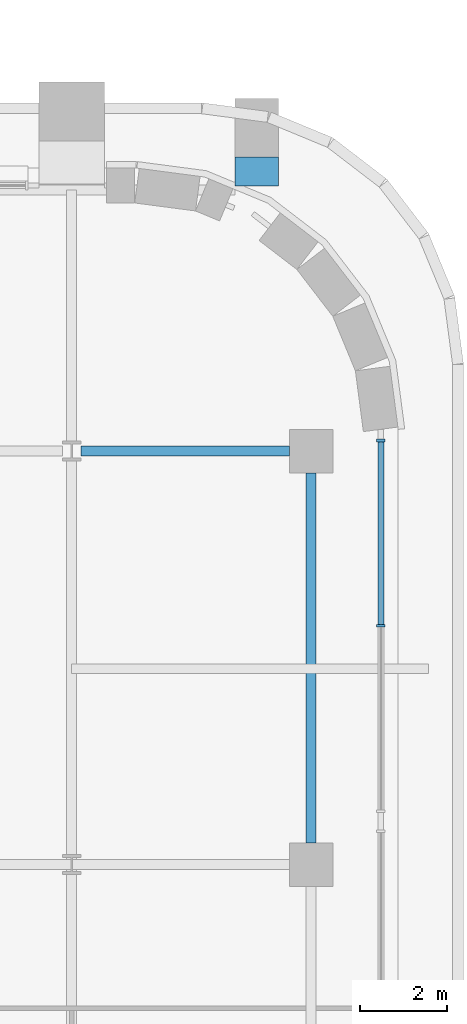
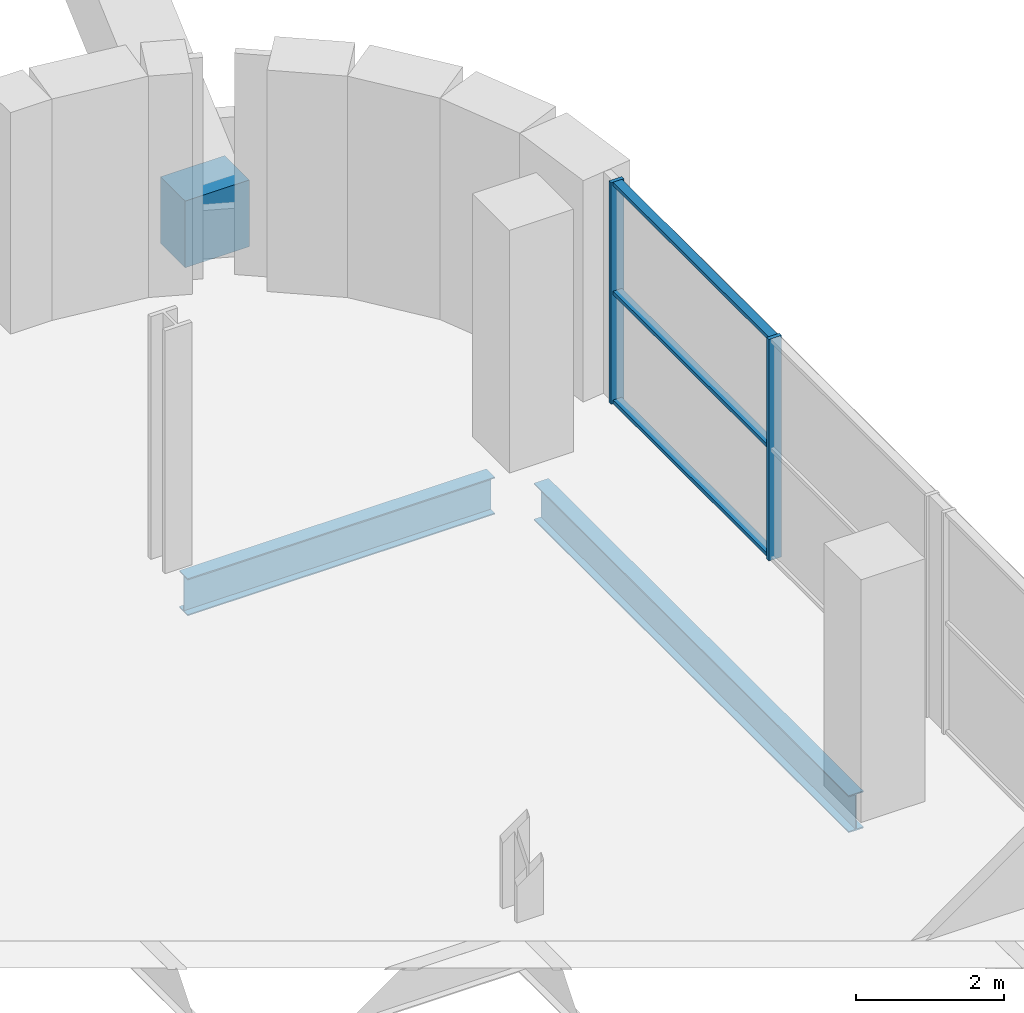
# One storey, part 12 of 26: 5 members, 3 beams, 1 element without a shape of its own.
"""IFC4 building model written with IfcOpenShell, lengths in metres."""

from ifc_helpers import new_model, si_unit, direction, frame, origin, origin_2d, place, context, subcontext, project, spatial, rectangle, i_section, extrude, material, material_profile, profile_set, type_object, element, aggregate, save


model = new_model("IFC4")

# Units and contexts
model_context = context("Model", 3, precision=1e-05, world=origin(), true_north=direction((0.0, 1.0)))
body_context = subcontext(model_context, "Body", "Model", "MODEL_VIEW")
ifc_project = project(units=[si_unit("LENGTHUNIT", "METRE"), si_unit("AREAUNIT", "SQUARE_METRE"), si_unit("VOLUMEUNIT", "CUBIC_METRE"), si_unit("PLANEANGLEUNIT", "RADIAN"), si_unit("MASSUNIT", "GRAM", prefix="KILO")], contexts=[model_context])

# Site, building, storey
site_placement = place(None, origin())
site = spatial("IfcSite", under=ifc_project, at=site_placement, CompositionType="ELEMENT")
building_placement = place(site_placement, origin())
building = spatial("IfcBuilding", under=site, at=building_placement, Name="Zellij Exchange Tower", CompositionType="ELEMENT")
storey_placement = place(building_placement, frame((0.0, 0.0, 156.5)))
storey = spatial("IfcBuildingStorey", under=building, at=storey_placement, Name="L35", CompositionType="ELEMENT", Elevation=156.5)

# Curtain wall, members
ifc_material_1 = material(Name="Aluminium frame, clear insulating glass", Category="aluminium")
curtain_wall_type = type_object("IfcCurtainWallType", Name="ENV-CW6 Sky-lobby glazing", PredefinedType="NOTDEFINED", material=ifc_material_1)
curtain_wall_placement = place(storey_placement, origin())
curtain_wall = element("IfcCurtainWall", 1, at=curtain_wall_placement, inside=storey, type_object=curtain_wall_type, Name="cw.L35.07b", PredefinedType="NOTDEFINED")
ifc_material_2 = material(Name="Aluminium", Category="aluminium")
ifc_material_profile_1 = material_profile(ifc_material_2, rectangle(XDim=0.06005859375, YDim=0.199951171875, at=origin_2d()), Name="AL 60x200")
ifc_profile_set_1 = profile_set([ifc_material_profile_1], Name="Aluminium")
member_type_1 = type_object("IfcMemberType", Name="ENV-CW6M Mullion 60x200", PredefinedType="MULLION", material=ifc_profile_set_1)
member_1_placement = place(storey_placement, frame((34.10009765625, 9.984130859375, 0.0), z_axis=(0.0, 0.0, 1.0), x_axis=(0.0, 1.0, 0.0)))
member_1 = element("IfcMember", 2, at=member_1_placement, type_object=member_type_1, Name="CW6 mullion 2", PredefinedType="MULLION", context=body_context, shape_type="SweptSolid", body=[
    extrude(rectangle(XDim=0.06005859375, YDim=0.199951171875, at=origin_2d()), origin(), (0.0, 0.0, 1.0), 3.64990234375),
])
member_2_placement = place(storey_placement, frame((34.10009765625, 14.243896484375, 0.0), z_axis=(0.0, 0.0, 1.0), x_axis=(0.0, 1.0, 0.0)))
member_2 = element("IfcMember", 3, at=member_2_placement, type_object=member_type_1, Name="CW6 mullion 3", PredefinedType="MULLION", context=body_context, shape_type="SweptSolid", body=[
    extrude(rectangle(XDim=0.06005859375, YDim=0.199951171875, at=origin_2d()), origin(), (0.0, 0.0, 1.0), 3.64990234375),
])
ifc_material_profile_2 = material_profile(ifc_material_2, rectangle(XDim=0.139892578125, YDim=0.06005859375, at=origin_2d()), Name="AL 140x60")
ifc_profile_set_2 = profile_set([ifc_material_profile_2], Name="Aluminium")
member_type_2 = type_object("IfcMemberType", Name="ENV-CW6T Transom 140x60", PredefinedType="USERDEFINED", material=ifc_profile_set_2)
member_3_placement = place(storey_placement, frame((34.10009765625, 10.01416015625, 0.030029296875), z_axis=(0.0, 1.0, 0.0), x_axis=(-1.0, 0.0, 0.0)))
member_3 = element("IfcMember", 4, at=member_3_placement, type_object=member_type_2, Name="CW6 transom 2.1", ObjectType="TRANSOM", PredefinedType="USERDEFINED", context=body_context, shape_type="SweptSolid", body=[
    extrude(rectangle(XDim=0.139892578125, YDim=0.06005859375, at=origin_2d()), origin(), (0.0, 0.0, 1.0), 4.19970703125),
])
member_4_placement = place(storey_placement, frame((34.10009765625, 10.01416015625, 1.824951171875), z_axis=(0.0, 1.0, 0.0), x_axis=(-1.0, 0.0, 0.0)))
member_4 = element("IfcMember", 5, at=member_4_placement, type_object=member_type_2, Name="CW6 transom 2.2", ObjectType="TRANSOM", PredefinedType="USERDEFINED", context=body_context, shape_type="SweptSolid", body=[
    extrude(rectangle(XDim=0.139892578125, YDim=0.06005859375, at=origin_2d()), origin(), (0.0, 0.0, 1.0), 4.19970703125),
])
member_5_placement = place(storey_placement, frame((34.10009765625, 10.01416015625, 3.6201171875), z_axis=(0.0, 1.0, 0.0), x_axis=(-1.0, 0.0, 0.0)))
member_5 = element("IfcMember", 6, at=member_5_placement, type_object=member_type_2, Name="CW6 transom 2.3", ObjectType="TRANSOM", PredefinedType="USERDEFINED", context=body_context, shape_type="SweptSolid", body=[
    extrude(rectangle(XDim=0.139892578125, YDim=0.06005859375, at=origin_2d()), origin(), (0.0, 0.0, 1.0), 4.19970703125),
])
aggregate(curtain_wall, [member_1, member_2, member_3, member_4, member_5])

# Beams
ifc_material_3 = material(Name="Structural steel ASTM A992 Gr 50", Category="steel")
ifc_material_profile_3 = material_profile(ifc_material_3, i_section(OverallWidth=0.22900390625, OverallDepth=0.612060546875, WebThickness=0.011962890625, FlangeThickness=0.01953125, at=origin_2d()), Name="W24x84")
ifc_profile_set_3 = profile_set([ifc_material_profile_3], Name="Structural steel ASTM A992 Gr 50")
beam_type_1 = type_object("IfcBeamType", Name="STR-EDGE GIRDER W24x84", PredefinedType="BEAM", material=ifc_profile_set_3)
beam_1_placement = place(storey_placement, frame((32.5, 5.0, -0.606201171875), z_axis=(0.0, 1.0, 0.0), x_axis=(-1.0, 0.0, 0.0)))
element("IfcBeam", 7, at=beam_1_placement, inside=storey, type_object=beam_type_1, Name="EB6", PredefinedType="BEAM", context=body_context, shape_type="SweptSolid", body=[
    extrude(i_section(OverallWidth=0.22900390625, OverallDepth=0.612060546875, WebThickness=0.011962890625, FlangeThickness=0.01953125, at=origin_2d()), origin(), (0.0, 0.0, 1.0), 8.5),
])
ifc_material_profile_4 = material_profile(ifc_material_3, i_section(OverallWidth=0.22900390625, OverallDepth=0.612060546875, WebThickness=0.011962890625, FlangeThickness=0.01953125, at=origin_2d()), Name="W24x84")
ifc_profile_set_4 = profile_set([ifc_material_profile_4], Name="Structural steel ASTM A992 Gr 50")
beam_type_2 = type_object("IfcBeamType", Name="STR-GIRDER W24x84", PredefinedType="BEAM", material=ifc_profile_set_4)
beam_2_placement = place(storey_placement, frame((27.209716796875, 14.0, -0.606201171875), z_axis=(1.0, 0.0, 0.0), x_axis=(0.0, 1.0, 0.0)))
element("IfcBeam", 8, at=beam_2_placement, inside=storey, type_object=beam_type_2, Name="G4", PredefinedType="BEAM", context=body_context, shape_type="SweptSolid", body=[
    extrude(i_section(OverallWidth=0.22900390625, OverallDepth=0.612060546875, WebThickness=0.011962890625, FlangeThickness=0.01953125, at=origin_2d()), origin(), (0.0, 0.0, 1.0), 4.790283203125),
])
ifc_material_4 = material(Name="Concrete C60/75", Category="concrete")
ifc_material_profile_5 = material_profile(ifc_material_4, rectangle(XDim=1.0, YDim=1.10009765625, at=origin_2d()), Name="STR-KNUCKLE BLOCK RC1000x1100 C60/75")
ifc_profile_set_5 = profile_set([ifc_material_profile_5], Name="Concrete C60/75")
beam_type_3 = type_object("IfcBeamType", Name="STR-KNUCKLE BLOCK RC1000x1100 C60/75", PredefinedType="BEAM", material=ifc_profile_set_5)
beam_3_placement = place(storey_placement, frame((31.25, 20.088134765625, 0.375), z_axis=(0.0, 1.0, 0.0), x_axis=(-1.0, 0.0, 0.0)))
element("IfcBeam", 9, at=beam_3_placement, inside=storey, type_object=beam_type_3, Name="KB3", PredefinedType="BEAM", context=body_context, shape_type="SweptSolid", body=[
    extrude(rectangle(XDim=1.0, YDim=1.10009765625, at=origin_2d()), origin(), (0.0, 0.0, 1.0), 0.66455078125),
])

save(model, "model.ifc")
